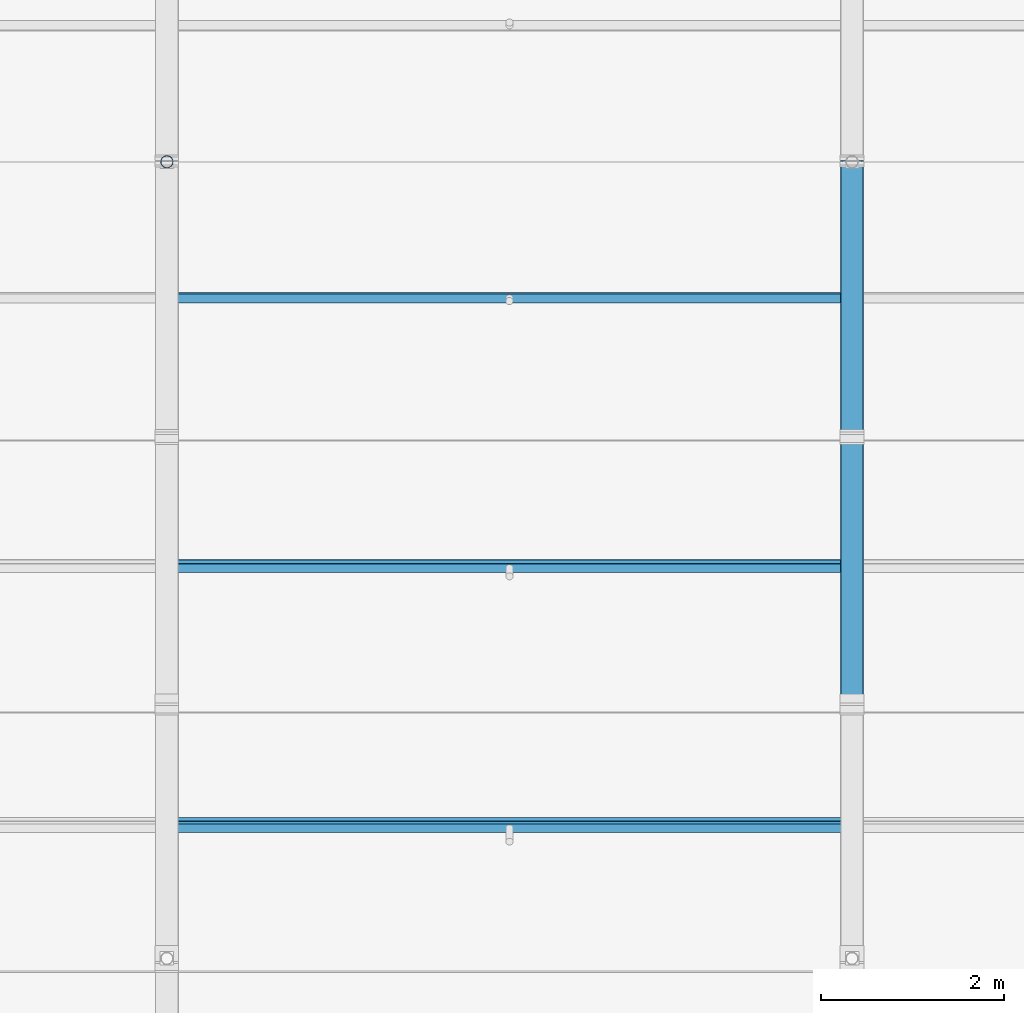
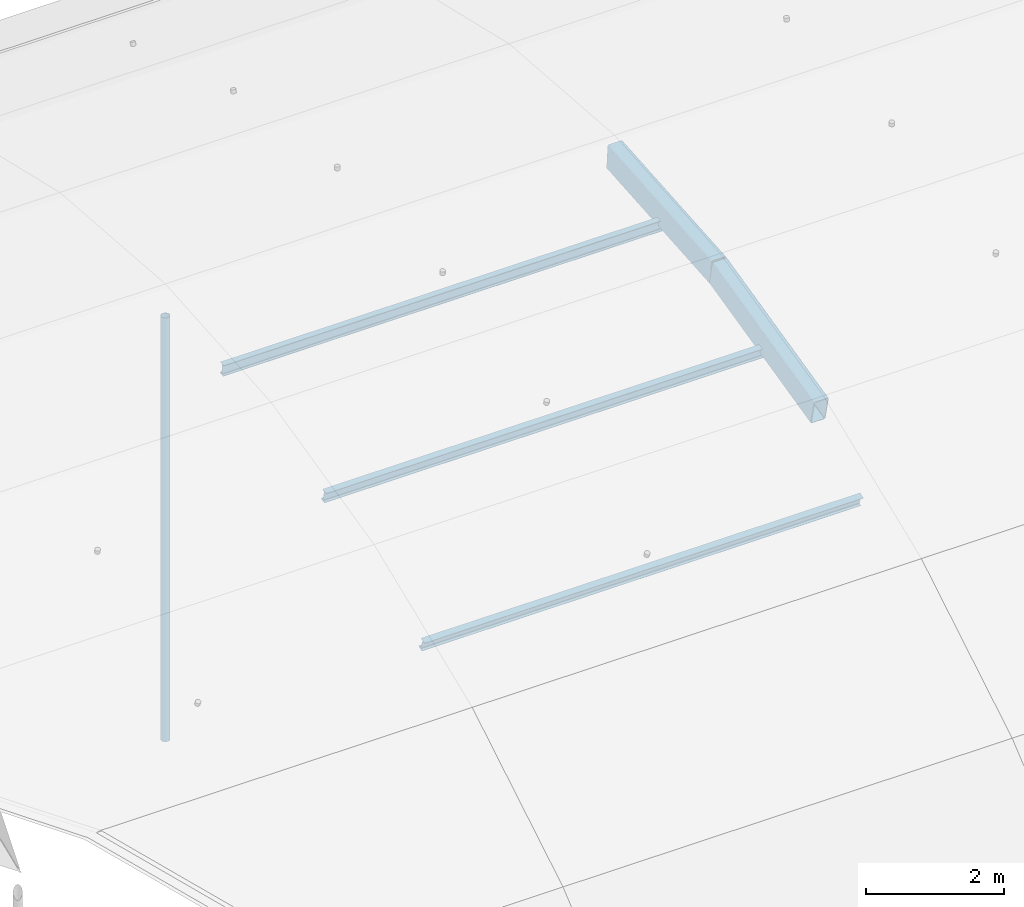
# One storey, part 12 of 77: 4 members, 2 beams.
"""IFC4 building model written with IfcOpenShell, lengths in metres."""

from ifc_helpers import new_model, si_unit, direction, frame, origin, origin_2d, place, context, subcontext, project, spatial, hollow_rectangle, hollow_circle, i_section, extrude, material, material_profile, profile_set, type_object, element, save


model = new_model("IFC4")

# Units and contexts
model_context = context("Model", 3, precision=1e-05, world=origin(), true_north=direction((0.0, 1.0)))
body_context = subcontext(model_context, "Body", "Model", "MODEL_VIEW")
ifc_project = project(units=[si_unit("LENGTHUNIT", "METRE"), si_unit("AREAUNIT", "SQUARE_METRE"), si_unit("VOLUMEUNIT", "CUBIC_METRE"), si_unit("PLANEANGLEUNIT", "RADIAN"), si_unit("MASSUNIT", "GRAM", prefix="KILO")], contexts=[model_context])

# Site, building, storey
site_placement = place(None, origin())
site = spatial("IfcSite", under=ifc_project, at=site_placement, CompositionType="ELEMENT")
building_placement = place(site_placement, origin())
building = spatial("IfcBuilding", under=site, at=building_placement, Name="Yukiwa Park Conservatory and Herbarium", CompositionType="ELEMENT")
storey_placement = place(building_placement, frame((0.0, 0.0, 13.199951171875)))
storey = spatial("IfcBuildingStorey", under=building, at=storey_placement, Name="L03", CompositionType="ELEMENT", Elevation=13.199951171875)

# Beams
ifc_material_1 = material(Name="Steel Q355D", Category="steel")
ifc_material_profile_1 = material_profile(ifc_material_1, hollow_rectangle(XDim=0.25, YDim=0.449951171875, WallThickness=0.013916015625, InnerFilletRadius=0.013916015625, OuterFilletRadius=0.028076171875, at=origin_2d()), Name="RHS 450x250x14")
ifc_profile_set_1 = profile_set([ifc_material_profile_1], Name="Steel Q355D")
beam_type = type_object("IfcBeamType", Name="BM-VLT-ARCH450", PredefinedType="BEAM", material=ifc_profile_set_1)
for number, where, z_axis, x_axis, name in (
    (1, (30.0, 9.668212890625, 2.676025390625), (0.0, 0.973254208946, 0.22973080936), (-1.0, 0.0, 0.0), "Conservatory barrel vault arch rib 5 chord 5"),
    (2, (30.0, 12.598388671875, 3.36767578125), (0.0, 0.997015721433, 0.077198777292), (-1.0, 0.0, 0.0), "Conservatory barrel vault arch rib 5 chord 6"),
):
    element("IfcBeam", number, at=place(storey_placement, frame(where, z_axis=z_axis, x_axis=x_axis)), inside=storey, type_object=beam_type, Name=name, PredefinedType="BEAM", context=body_context, shape_type="SweptSolid", body=[
        extrude(hollow_rectangle(XDim=0.25, YDim=0.449951171875, WallThickness=0.013916015625, InnerFilletRadius=0.013916015625, OuterFilletRadius=0.028076171875, at=origin_2d()), origin(), (0.0, 0.0, 1.0), 3.0107421875),
    ])

# Members
ifc_material_2 = material(Name="Steel Q355D", Category="steel")
ifc_material_profile_2 = material_profile(ifc_material_2, i_section(OverallWidth=0.10009765625, OverallDepth=0.199951171875, WebThickness=0.005615234375, FlangeThickness=0.008056640625, FilletRadius=0.010986328125, at=origin_2d()), Name="HN 200x100x5.5x8")
ifc_profile_set_2 = profile_set([ifc_material_profile_2], Name="Steel Q355D")
member_type_1 = type_object("IfcMemberType", Name="MB-VLT-PURL200", PredefinedType="PURLIN", material=ifc_profile_set_2)
for number, where, z_axis, x_axis, name in (
    (3, (22.5849609375, 8.340087890625, 1.945556640625), (1.0, 0.0, 0.0), (0.0, 0.926282194237, 0.376830594086), "Conservatory vault longitudinal purlin 4.4"),
    (4, (22.5849609375, 11.173583984375, 2.850341796875), (1.0, 0.0, 0.0), (0.0, 0.973249092076, 0.22975248589), "Conservatory vault longitudinal purlin 4.5"),
    (5, (22.5849609375, 14.11279296875, 3.308349609375), (1.0, 0.0, 0.0), (0.0, 0.997015814894, 0.077197570239), "Conservatory vault longitudinal purlin 4.6"),
):
    element("IfcMember", number, at=place(storey_placement, frame(where, z_axis=z_axis, x_axis=x_axis)), inside=storey, type_object=member_type_1, Name=name, PredefinedType="PURLIN", context=body_context, shape_type="SweptSolid", body=[
        extrude(i_section(OverallWidth=0.10009765625, OverallDepth=0.199951171875, WebThickness=0.005615234375, FlangeThickness=0.008056640625, FilletRadius=0.010986328125, at=origin_2d()), origin(), (0.0, 0.0, 1.0), 7.330078125),
    ])
ifc_material_3 = material(Name="Steel Q355D", Category="steel")
ifc_material_profile_3 = material_profile(ifc_material_3, hollow_circle(Radius=0.06982421875, WallThickness=0.008056640625, at=origin_2d()), Name="CHS 139.7x8")
ifc_profile_set_3 = profile_set([ifc_material_profile_3], Name="Steel Q355D")
member_type_2 = type_object("IfcMemberType", Name="MB-VLT-STRUT140", PredefinedType="STRUT", material=ifc_profile_set_3)
member_placement = place(storey_placement, frame((22.5, 15.60009765625, -4.095947265625), z_axis=(0.0, 0.0, 1.0), x_axis=(1.0, 0.0, 0.0)))
element("IfcMember", 6, at=member_placement, inside=storey, type_object=member_type_2, Name="Conservatory vault bowstring hanger 4.6", PredefinedType="STRUT", context=body_context, shape_type="SweptSolid", body=[
    extrude(hollow_circle(Radius=0.06982421875, WallThickness=0.008056640625, at=origin_2d()), origin(), (0.0, 0.0, 1.0), 7.48095703125),
])

save(model, "model.ifc")
